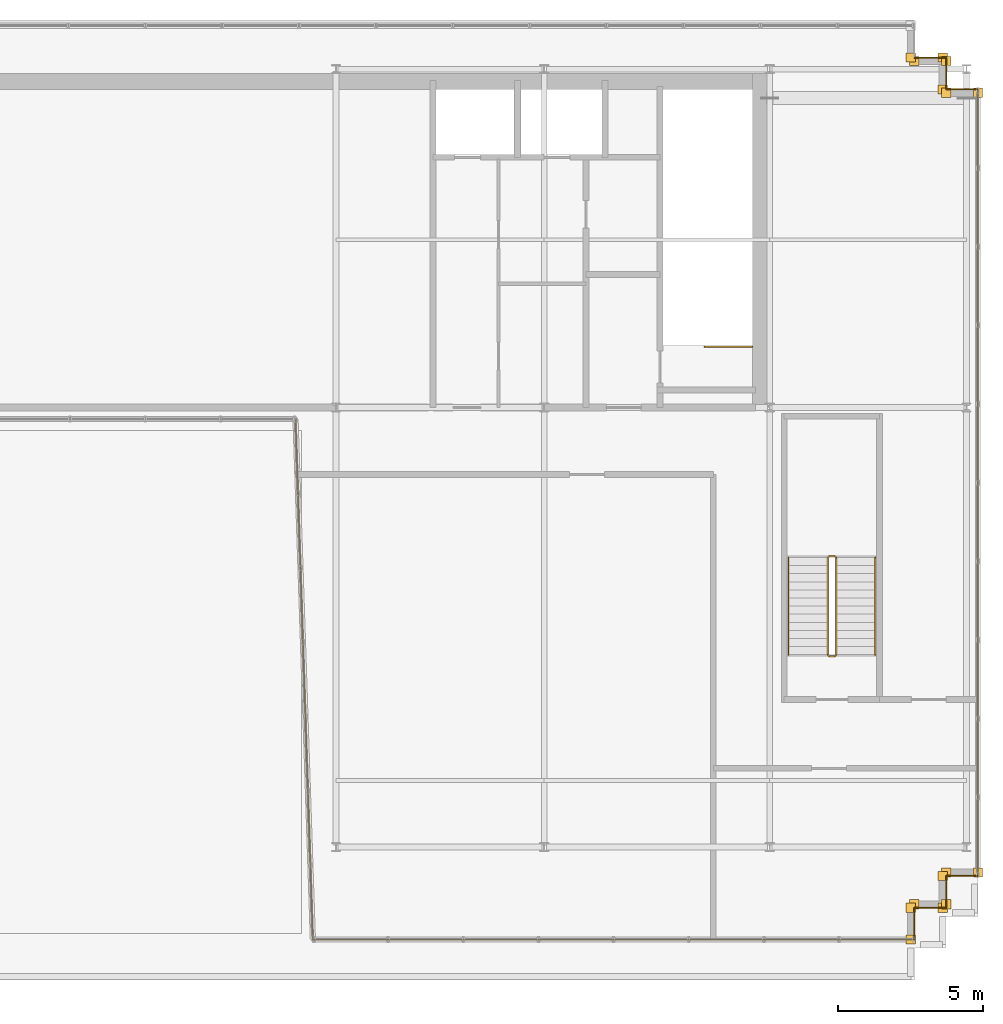
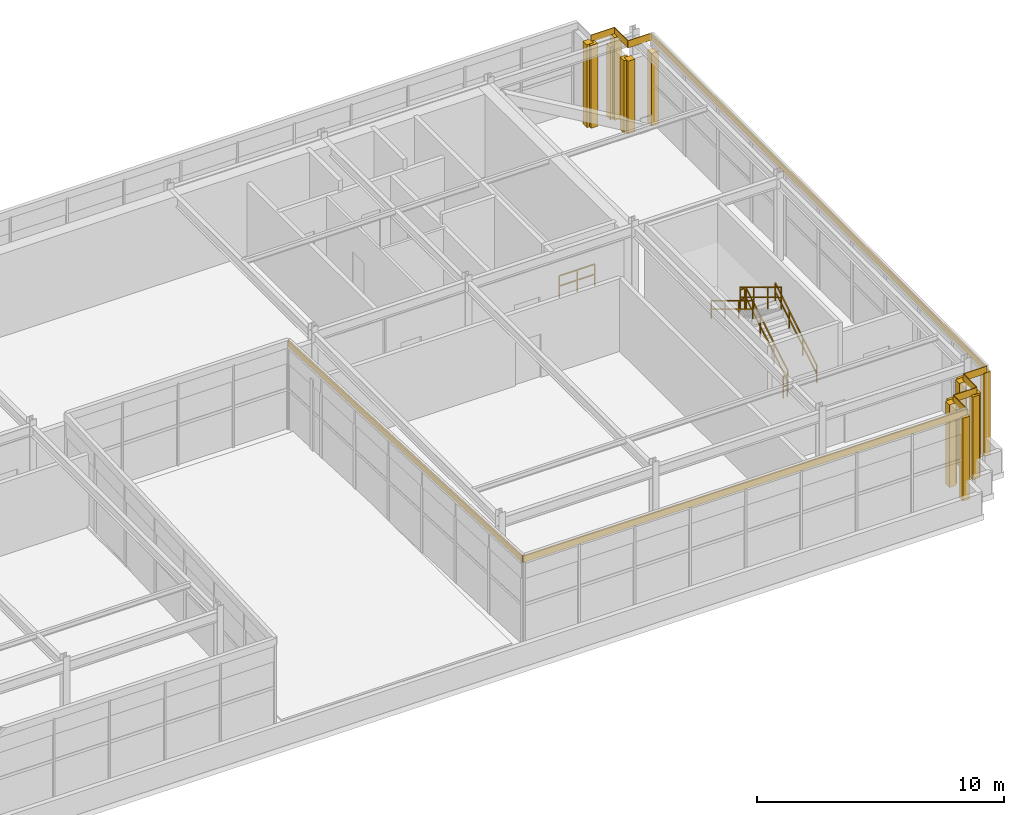
# One storey, part 36 of 37: 25 coverings, 7 railings.
"""IFC4 building model written with IfcOpenShell, lengths in metres."""

from ifc_helpers import new_model, si_unit, direction, frame, origin, origin_2d, place, context, subcontext, project, spatial, rectangle, extrude, source, transform, mapped, material, layer, layer_set, type_object, element, save


model = new_model("IFC4")

# Units and contexts
model_context = context("Model", 3, precision=1e-05, world=origin(), true_north=direction((0.0, 1.0)))
body_context = subcontext(model_context, "Body", "Model", "MODEL_VIEW")
ifc_project = project(units=[si_unit("LENGTHUNIT", "METRE"), si_unit("AREAUNIT", "SQUARE_METRE"), si_unit("VOLUMEUNIT", "CUBIC_METRE"), si_unit("PLANEANGLEUNIT", "RADIAN"), si_unit("MASSUNIT", "GRAM", prefix="KILO")], contexts=[model_context])

# Site, building, storey
site_placement = place(None, origin())
site = spatial("IfcSite", under=ifc_project, at=site_placement, CompositionType="ELEMENT")
building_placement = place(site_placement, origin())
building = spatial("IfcBuilding", under=site, at=building_placement, Name="Trelvane Seafront Commons", CompositionType="ELEMENT")
storey_placement = place(building_placement, frame((0.0, 0.0, 303.5)))
storey = spatial("IfcBuildingStorey", under=building, at=storey_placement, Name="L79", CompositionType="ELEMENT", Elevation=303.5)

# Railings
ifc_material_1 = material(Name="Stainless steel balustrade", Category="steel")
railing_type_1 = type_object("IfcRailingType", Name="ARCH-SRL-GUARD", PredefinedType="GUARDRAIL", material=ifc_material_1)
railing_1_placement = place(storey_placement, frame((58.199951171875, 35.5, 0.0)))
element("IfcRailing", 1, at=railing_1_placement, inside=storey, type_object=railing_type_1, Name="L79 ST-2 top well guard 1", PredefinedType="GUARDRAIL", context=body_context, shape_type="SweptSolid", body=[
    extrude(rectangle(XDim=0.048095703125, YDim=0.048095703125, at=origin_2d()), frame((0.0, 0.0, 1.076171875), z_axis=(-1.0, 0.0, 0.0), x_axis=(0.0, -1.0, 0.0)), (0.0, 0.0, 1.0), 1.64990234375),
    extrude(rectangle(XDim=0.048095703125, YDim=0.048095703125, at=origin_2d()), frame((0.0, 0.0, 0.572021484375), z_axis=(-1.0, 0.0, 0.0), x_axis=(0.0, -1.0, 0.0)), (0.0, 0.0, 1.0), 1.64990234375),
    extrude(rectangle(XDim=0.0419921875, YDim=0.0419921875, at=origin_2d()), origin(), (0.0, 0.0, 1.0), 1.076171875),
    extrude(rectangle(XDim=0.0419921875, YDim=0.0419921875, at=origin_2d()), frame((-0.824951171875, 0.0, 0.0)), (0.0, 0.0, 1.0), 1.076171875),
    extrude(rectangle(XDim=0.0419921875, YDim=0.0419921875, at=origin_2d()), frame((-1.64990234375, 0.0, 0.0)), (0.0, 0.0, 1.0), 1.076171875),
])
railing_2_placement = place(storey_placement, frame((61.10009765625, 24.85009765625, 0.169189453125)))
element("IfcRailing", 2, at=railing_2_placement, inside=storey, type_object=railing_type_1, Name="L79 ST-6 stair guard 1", PredefinedType="GUARDRAIL", context=body_context, shape_type="SweptSolid", body=[
    extrude(rectangle(XDim=0.048095703125, YDim=0.048095703125, at=origin_2d()), frame((0.0, 0.0, 1.076171875), z_axis=(0.0, 0.855820338506, 0.51727318527), x_axis=(-1.0, 0.0, 0.0)), (0.0, 0.0, 1.0), 3.92578125),
    extrude(rectangle(XDim=0.048095703125, YDim=0.048095703125, at=origin_2d()), frame((0.0, 0.0, 0.572021484375), z_axis=(0.0, 0.855820338506, 0.51727318527), x_axis=(-1.0, 0.0, 0.0)), (0.0, 0.0, 1.0), 3.92578125),
    extrude(rectangle(XDim=0.0419921875, YDim=0.0419921875, at=origin_2d()), origin(), (0.0, 0.0, 1.0), 1.076171875),
    extrude(rectangle(XDim=0.0419921875, YDim=0.0419921875, at=origin_2d()), frame((0.0, 1.119873046875, 0.677001953125)), (0.0, 0.0, 1.0), 1.076171875),
    extrude(rectangle(XDim=0.0419921875, YDim=0.0419921875, at=origin_2d()), frame((0.0, 2.239990234375, 1.353759765625)), (0.0, 0.0, 1.0), 1.076171875),
    extrude(rectangle(XDim=0.0419921875, YDim=0.0419921875, at=origin_2d()), frame((0.0, 3.35986328125, 2.03076171875)), (0.0, 0.0, 1.0), 1.076171875),
])
railing_3_placement = place(storey_placement, frame((61.050048828125, 28.260009765625, 2.199951171875)))
element("IfcRailing", 3, at=railing_3_placement, inside=storey, type_object=railing_type_1, Name="L79 ST-6 stair guard 2", PredefinedType="GUARDRAIL", context=body_context, shape_type="SweptSolid", body=[
    extrude(rectangle(XDim=0.048095703125, YDim=0.048095703125, at=origin_2d()), frame((0.0, 0.0, 1.076171875), z_axis=(-1.0, 0.0, 0.0), x_axis=(0.0, -1.0, 0.0)), (0.0, 0.0, 1.0), 0.199951171875),
    extrude(rectangle(XDim=0.048095703125, YDim=0.048095703125, at=origin_2d()), frame((0.0, 0.0, 0.572021484375), z_axis=(-1.0, 0.0, 0.0), x_axis=(0.0, -1.0, 0.0)), (0.0, 0.0, 1.0), 0.199951171875),
    extrude(rectangle(XDim=0.0419921875, YDim=0.0419921875, at=origin_2d()), origin(), (0.0, 0.0, 1.0), 1.076171875),
    extrude(rectangle(XDim=0.0419921875, YDim=0.0419921875, at=origin_2d()), frame((-0.199951171875, 0.0, 0.0)), (0.0, 0.0, 1.0), 1.076171875),
])
railing_4_placement = place(storey_placement, frame((60.800048828125, 28.2099609375, 2.369140625)))
element("IfcRailing", 4, at=railing_4_placement, inside=storey, type_object=railing_type_1, Name="L79 ST-6 stair guard 3", PredefinedType="GUARDRAIL", context=body_context, shape_type="SweptSolid", body=[
    extrude(rectangle(XDim=0.048095703125, YDim=0.048095703125, at=origin_2d()), frame((0.0, 0.0, 1.076171875), z_axis=(0.0, -0.855820338506, 0.51727318527), x_axis=(1.0, 0.0, 0.0)), (0.0, 0.0, 1.0), 3.92578125),
    extrude(rectangle(XDim=0.048095703125, YDim=0.048095703125, at=origin_2d()), frame((0.0, 0.0, 0.572021484375), z_axis=(0.0, -0.855820338506, 0.51727318527), x_axis=(1.0, 0.0, 0.0)), (0.0, 0.0, 1.0), 3.92578125),
    extrude(rectangle(XDim=0.0419921875, YDim=0.0419921875, at=origin_2d()), origin(), (0.0, 0.0, 1.0), 1.076171875),
    extrude(rectangle(XDim=0.0419921875, YDim=0.0419921875, at=origin_2d()), frame((0.0, -1.119873046875, 0.677001953125)), (0.0, 0.0, 1.0), 1.076171875),
    extrude(rectangle(XDim=0.0419921875, YDim=0.0419921875, at=origin_2d()), frame((0.0, -2.239990234375, 1.353759765625)), (0.0, 0.0, 1.0), 1.076171875),
    extrude(rectangle(XDim=0.0419921875, YDim=0.0419921875, at=origin_2d()), frame((0.0, -3.35986328125, 2.03076171875)), (0.0, 0.0, 1.0), 1.076171875),
])
railing_5_placement = place(storey_placement, frame((61.050048828125, 24.800048828125, 0.0)))
element("IfcRailing", 5, at=railing_5_placement, inside=storey, type_object=railing_type_1, Name="L79 ST-6 stair guard 4", PredefinedType="GUARDRAIL", context=body_context, shape_type="SweptSolid", body=[
    extrude(rectangle(XDim=0.048095703125, YDim=0.048095703125, at=origin_2d()), frame((0.0, 0.0, 1.076171875), z_axis=(-1.0, 0.0, 0.0), x_axis=(0.0, -1.0, 0.0)), (0.0, 0.0, 1.0), 0.199951171875),
    extrude(rectangle(XDim=0.048095703125, YDim=0.048095703125, at=origin_2d()), frame((0.0, 0.0, 0.572021484375), z_axis=(-1.0, 0.0, 0.0), x_axis=(0.0, -1.0, 0.0)), (0.0, 0.0, 1.0), 0.199951171875),
    extrude(rectangle(XDim=0.0419921875, YDim=0.0419921875, at=origin_2d()), origin(), (0.0, 0.0, 1.0), 1.076171875),
    extrude(rectangle(XDim=0.0419921875, YDim=0.0419921875, at=origin_2d()), frame((-0.199951171875, 0.0, 0.0)), (0.0, 0.0, 1.0), 1.076171875),
])
railing_type_2 = type_object("IfcRailingType", Name="ARCH-SRL-HAND", PredefinedType="HANDRAIL", material=ifc_material_1)
railing_6_placement = place(storey_placement, frame((62.449951171875, 24.85009765625, 0.169189453125)))
element("IfcRailing", 6, at=railing_6_placement, inside=storey, type_object=railing_type_2, Name="L79 ST-6 stair handrail 1", PredefinedType="HANDRAIL", context=body_context, shape_type="SweptSolid", body=[
    extrude(rectangle(XDim=0.048095703125, YDim=0.048095703125, at=origin_2d()), frame((0.0, 0.0, 0.8759765625), z_axis=(0.0, 0.855820338506, 0.51727318527), x_axis=(-1.0, 0.0, 0.0)), (0.0, 0.0, 1.0), 3.92578125),
    extrude(rectangle(XDim=0.048095703125, YDim=0.048095703125, at=origin_2d()), frame((0.0, 0.0, 0.468017578125), z_axis=(0.0, 0.855820338506, 0.51727318527), x_axis=(-1.0, 0.0, 0.0)), (0.0, 0.0, 1.0), 3.92578125),
    extrude(rectangle(XDim=0.0419921875, YDim=0.0419921875, at=origin_2d()), origin(), (0.0, 0.0, 1.0), 0.8759765625),
    extrude(rectangle(XDim=0.0419921875, YDim=0.0419921875, at=origin_2d()), frame((0.0, 1.119873046875, 0.677001953125)), (0.0, 0.0, 1.0), 0.8759765625),
    extrude(rectangle(XDim=0.0419921875, YDim=0.0419921875, at=origin_2d()), frame((0.0, 2.239990234375, 1.353759765625)), (0.0, 0.0, 1.0), 0.8759765625),
    extrude(rectangle(XDim=0.0419921875, YDim=0.0419921875, at=origin_2d()), frame((0.0, 3.35986328125, 2.03076171875)), (0.0, 0.0, 1.0), 0.8759765625),
])
railing_7_placement = place(storey_placement, frame((59.449951171875, 28.2099609375, 2.369140625)))
element("IfcRailing", 7, at=railing_7_placement, inside=storey, type_object=railing_type_2, Name="L79 ST-6 stair handrail 2", PredefinedType="HANDRAIL", context=body_context, shape_type="SweptSolid", body=[
    extrude(rectangle(XDim=0.048095703125, YDim=0.048095703125, at=origin_2d()), frame((0.0, 0.0, 0.8759765625), z_axis=(0.0, -0.855820338506, 0.51727318527), x_axis=(1.0, 0.0, 0.0)), (0.0, 0.0, 1.0), 3.92578125),
    extrude(rectangle(XDim=0.048095703125, YDim=0.048095703125, at=origin_2d()), frame((0.0, 0.0, 0.468017578125), z_axis=(0.0, -0.855820338506, 0.51727318527), x_axis=(1.0, 0.0, 0.0)), (0.0, 0.0, 1.0), 3.92578125),
    extrude(rectangle(XDim=0.0419921875, YDim=0.0419921875, at=origin_2d()), origin(), (0.0, 0.0, 1.0), 0.8759765625),
    extrude(rectangle(XDim=0.0419921875, YDim=0.0419921875, at=origin_2d()), frame((0.0, -1.119873046875, 0.677001953125)), (0.0, 0.0, 1.0), 0.8759765625),
    extrude(rectangle(XDim=0.0419921875, YDim=0.0419921875, at=origin_2d()), frame((0.0, -2.239990234375, 1.353759765625)), (0.0, 0.0, 1.0), 0.8759765625),
    extrude(rectangle(XDim=0.0419921875, YDim=0.0419921875, at=origin_2d()), frame((0.0, -3.35986328125, 2.03076171875)), (0.0, 0.0, 1.0), 0.8759765625),
])

# Coverings
ifc_material_2 = material(Name="Anodised pale-silver aluminium", Category="aluminium")
ifc_layer = layer(ifc_material_2, 0.034912109375, Name="ARCH-COV-CLAD35")
ifc_layer_set = layer_set([ifc_layer], Name="Anodised pale-silver aluminium")
covering_type = type_object("IfcCoveringType", Name="ARCH-COV-CLAD35", PredefinedType="CLADDING", material=ifc_layer_set)
shared_shape_1 = source(origin(), body_context, "Body", "SweptSolid", [
    extrude(rectangle(XDim=0.320068359375, YDim=0.320068359375, at=origin_2d()), origin(), (0.0, 0.0, 1.0), 4.10009765625),
])
for number, where, z_axis, x_axis, name in (
    (8, (63.679931640625, 45.5, 0.0), (0.0, 0.0, 1.0), (1.0, 0.0, 0.0), "CLD-CP-L79-00391"),
    (9, (63.800048828125, 45.3798828125, 0.0), (0.0, 0.0, 1.0), (1.0, 0.0, 0.0), "CLD-CP-L79-00393"),
    (10, (64.89990234375, 45.3798828125, 0.0), (0.0, 0.0, 1.0), (1.0, 0.0, 0.0), "CLD-CP-L79-00394"),
    (11, (66.0, 17.320068359375, 0.0), (0.0, 0.0, 1.0), (1.0, 0.0, 0.0), "CLD-CP-L79-00403"),
    (12, (64.89990234375, 17.320068359375, 0.0), (0.0, 0.0, 1.0), (1.0, 0.0, 0.0), "CLD-CP-L79-00404"),
    (13, (64.780029296875, 17.199951171875, 0.0), (0.0, 0.0, 1.0), (1.0, 0.0, 0.0), "CLD-CP-L79-00406"),
    (14, (64.780029296875, 16.10009765625, 0.0), (0.0, 0.0, 1.0), (1.0, 0.0, 0.0), "CLD-CP-L79-00407"),
    (15, (64.89990234375, 16.219970703125, 0.0), (0.0, 0.0, 1.0), (1.0, 0.0, 0.0), "CLD-CP-L79-00409"),
    (16, (63.800048828125, 16.219970703125, 0.0), (0.0, 0.0, 1.0), (1.0, 0.0, 0.0), "CLD-CP-L79-00410"),
    (17, (63.679931640625, 16.10009765625, 0.0), (0.0, 0.0, 1.0), (1.0, 0.0, 0.0), "CLD-CP-L79-00412"),
    (18, (63.679931640625, 15.0, 0.0), (0.0, 0.0, 1.0), (1.0, 0.0, 0.0), "CLD-CP-L79-00413"),
):
    element("IfcCovering", number, at=place(storey_placement, frame(where, z_axis=z_axis, x_axis=x_axis)), inside=storey, type_object=covering_type, Name=name, PredefinedType="CLADDING", context=body_context, shape_type="MappedRepresentation", body=[
        mapped(shared_shape_1, transform((0.0, 0.0, 0.0), x_axis=(1.0, 0.0, 0.0), y_axis=(0.0, 1.0, 0.0), z_axis=(0.0, 0.0, 1.0), scale=1.0)),
    ])
shared_shape_2 = source(origin(), body_context, "Body", "SweptSolid", [
    extrude(rectangle(XDim=1.10009765625, YDim=0.034912109375, at=origin_2d()), origin(), (0.0, 0.0, 1.0), 0.35009765625),
])
for number, where, z_axis, x_axis, name in (
    (19, (64.35009765625, 45.5, 4.050048828125), (0.0, 0.0, 1.0), (1.0, 0.0, 0.0), "CLD-L79-0395"),
    (20, (64.89990234375, 44.949951171875, 4.050048828125), (0.0, 0.0, 1.0), (0.0, -1.0, 0.0), "CLD-L79-0398"),
    (21, (65.449951171875, 44.39990234375, 4.050048828125), (0.0, 0.0, 1.0), (1.0, 0.0, 0.0), "CLD-L79-0401"),
    (22, (65.449951171875, 17.199951171875, 4.050048828125), (0.0, 0.0, 1.0), (-1.0, 0.0, 0.0), "CLD-L79-0405"),
    (23, (64.89990234375, 16.64990234375, 4.050048828125), (0.0, 0.0, 1.0), (0.0, -1.0, 0.0), "CLD-L79-0408"),
    (24, (64.35009765625, 16.10009765625, 4.050048828125), (0.0, 0.0, 1.0), (-1.0, 0.0, 0.0), "CLD-L79-0411"),
    (25, (63.800048828125, 15.550048828125, 4.050048828125), (0.0, 0.0, 1.0), (0.0, -1.0, 0.0), "CLD-L79-0414"),
):
    element("IfcCovering", number, at=place(storey_placement, frame(where, z_axis=z_axis, x_axis=x_axis)), inside=storey, type_object=covering_type, Name=name, PredefinedType="CLADDING", context=body_context, shape_type="MappedRepresentation", body=[
        mapped(shared_shape_2, transform((0.0, 0.0, 0.0), x_axis=(1.0, 0.0, 0.0), y_axis=(0.0, 1.0, 0.0), z_axis=(0.0, 0.0, 1.0), scale=1.0)),
    ])
shared_shape_3 = source(origin(), body_context, "Body", "SweptSolid", [
    extrude(rectangle(XDim=27.199951171875, YDim=0.034912109375, at=origin_2d()), origin(), (0.0, 0.0, 1.0), 0.35009765625),
])
covering_1_placement = place(storey_placement, frame((66.0, 30.800048828125, 4.050048828125), z_axis=(0.0, 0.0, 1.0), x_axis=(0.0, -1.0, 0.0)))
element("IfcCovering", 26, at=covering_1_placement, inside=storey, type_object=covering_type, Name="CLD-L79-0402", PredefinedType="CLADDING", context=body_context, shape_type="MappedRepresentation", body=[
    mapped(shared_shape_3, transform((0.0, 0.0, 0.0), x_axis=(1.0, 0.0, 0.0), y_axis=(0.0, 1.0, 0.0), z_axis=(0.0, 0.0, 1.0), scale=1.0)),
])
shared_shape_4 = source(origin(), body_context, "Body", "SweptSolid", [
    extrude(rectangle(XDim=0.320068359375, YDim=0.320068359375, at=origin_2d()), origin(), (0.0, 0.0, 1.0), 3.60009765625),
])
for number, where, z_axis, x_axis, name in (
    (27, (64.780029296875, 45.5, 0.0), (0.0, 0.0, 1.0), (1.0, 0.0, 0.0), "CLD-CP-L79-00396"),
    (28, (64.780029296875, 44.39990234375, 0.0), (0.0, 0.0, 1.0), (1.0, 0.0, 0.0), "CLD-CP-L79-00397"),
    (29, (64.89990234375, 44.280029296875, 0.0), (0.0, 0.0, 1.0), (1.0, 0.0, 0.0), "CLD-CP-L79-00399"),
    (30, (66.0, 44.280029296875, 0.0), (0.0, 0.0, 1.0), (1.0, 0.0, 0.0), "CLD-CP-L79-00400"),
):
    element("IfcCovering", number, at=place(storey_placement, frame(where, z_axis=z_axis, x_axis=x_axis)), inside=storey, type_object=covering_type, Name=name, PredefinedType="CLADDING", context=body_context, shape_type="MappedRepresentation", body=[
        mapped(shared_shape_4, transform((0.0, 0.0, 0.0), x_axis=(1.0, 0.0, 0.0), y_axis=(0.0, 1.0, 0.0), z_axis=(0.0, 0.0, 1.0), scale=1.0)),
    ])
shared_shape_5 = source(origin(), body_context, "Body", "SweptSolid", [
    extrude(rectangle(XDim=20.800048828125, YDim=0.034912109375, at=origin_2d()), origin(), (0.0, 0.0, 1.0), 0.35009765625),
])
covering_2_placement = place(storey_placement, frame((53.39990234375, 15.0, 4.050048828125), z_axis=(0.0, 0.0, 1.0), x_axis=(-1.0, 0.0, 0.0)))
element("IfcCovering", 31, at=covering_2_placement, inside=storey, type_object=covering_type, Name="CLD-L79-0415", PredefinedType="CLADDING", context=body_context, shape_type="MappedRepresentation", body=[
    mapped(shared_shape_5, transform((0.0, 0.0, 0.0), x_axis=(1.0, 0.0, 0.0), y_axis=(0.0, 1.0, 0.0), z_axis=(0.0, 0.0, 1.0), scale=1.0)),
])
shared_shape_6 = source(origin(), body_context, "Body", "SweptSolid", [
    extrude(rectangle(XDim=18.010009765625, YDim=0.034912109375, at=origin_2d()), origin(), (0.0, 0.0, 1.0), 0.35009765625),
])
covering_3_placement = place(storey_placement, frame((42.699951171875, 24.0, 4.050048828125), z_axis=(0.0, 0.0, 1.0), x_axis=(-0.033315659973, 0.999444879321, 0.0)))
element("IfcCovering", 32, at=covering_3_placement, inside=storey, type_object=covering_type, Name="CLD-L79-0416", PredefinedType="CLADDING", context=body_context, shape_type="MappedRepresentation", body=[
    mapped(shared_shape_6, transform((0.0, 0.0, 0.0), x_axis=(1.0, 0.0, 0.0), y_axis=(0.0, 1.0, 0.0), z_axis=(0.0, 0.0, 1.0), scale=1.0)),
])

save(model, "model.ifc")
